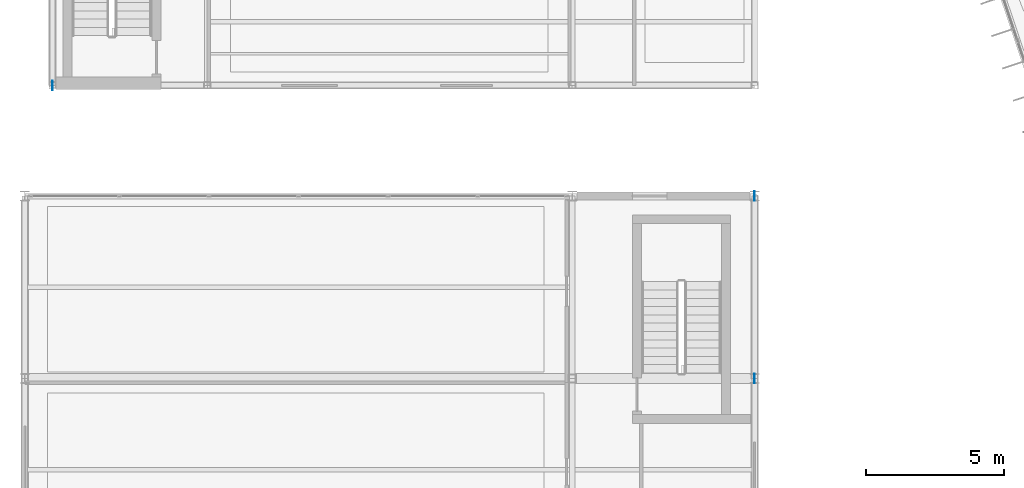
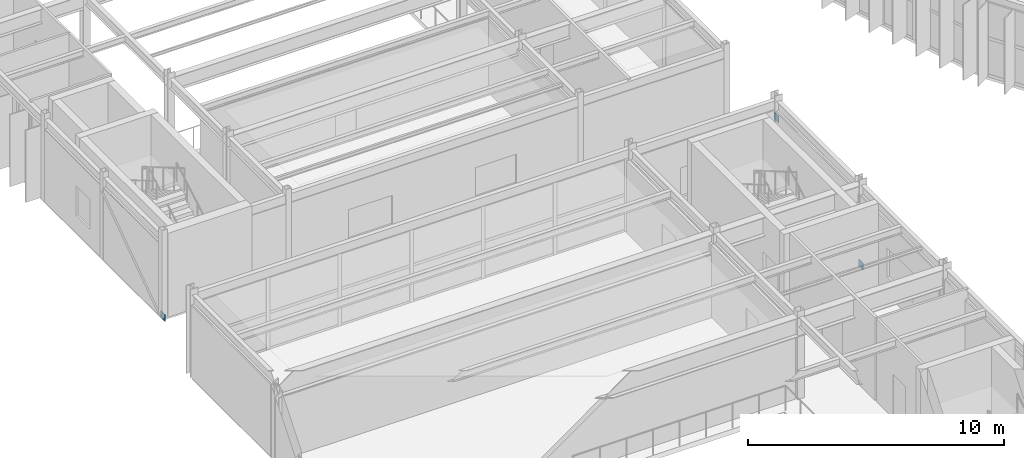
# One storey, part 109 of 148: 3 plates.
"""IFC4 building model written with IfcOpenShell, lengths in metres."""

from ifc_helpers import new_model, si_unit, direction, frame, origin, origin_2d, place, context, subcontext, project, spatial, rectangle, extrude, material, layer, layer_set, type_object, element, save


model = new_model("IFC4")

# Units and contexts
model_context = context("Model", 3, precision=1e-05, world=origin(), true_north=direction((0.0, 1.0)))
body_context = subcontext(model_context, "Body", "Model", "MODEL_VIEW")
ifc_project = project(units=[si_unit("LENGTHUNIT", "METRE"), si_unit("AREAUNIT", "SQUARE_METRE"), si_unit("VOLUMEUNIT", "CUBIC_METRE"), si_unit("PLANEANGLEUNIT", "RADIAN"), si_unit("MASSUNIT", "GRAM", prefix="KILO")], contexts=[model_context])

# Site, building, storey
site_placement = place(None, origin())
site = spatial("IfcSite", under=ifc_project, at=site_placement, CompositionType="ELEMENT")
building_placement = place(site_placement, origin())
building = spatial("IfcBuilding", under=site, at=building_placement, Name="Karori Crest Natural Sciences Institute", CompositionType="ELEMENT")
storey_placement = place(building_placement, frame((0.0, 0.0, 4.89990234375)))
storey = spatial("IfcBuildingStorey", under=building, at=storey_placement, Name="L01", CompositionType="ELEMENT", Elevation=4.89990234375)

# Plates
ifc_material = material(Name="Structural steel AS/NZS 3679.1 Grade 350", Category="steel")
ifc_layer = layer(ifc_material, 0.02490234375, Name="Structural steel AS/NZS 3679.1 Grade 350")
ifc_layer_set = layer_set([ifc_layer], Name="Structural steel AS/NZS 3679.1 Grade 350")
plate_type = type_object("IfcPlateType", Name="PLT-06-EL", PredefinedType="SHEET", material=ifc_layer_set)
for number, where, z_axis, x_axis, name in (
    (1, (27.199951171875, 20.60009765625, -0.146484375), (0.0, 0.0, 1.0), (0.0, 1.0, 0.0), "Brace gusset plate EP-0219"),
    (2, (27.199951171875, 27.199951171875, 2.86572265625), (0.0, 0.0, 1.0), (0.0, 1.0, 0.0), "Brace gusset plate EP-0220"),
    (3, (1.800048828125, 31.199951171875, -0.146484375), (0.0, 0.0, 1.0), (0.0, 1.0, 0.0), "Brace gusset plate EP-0245"),
):
    element("IfcPlate", number, at=place(storey_placement, frame(where, z_axis=z_axis, x_axis=x_axis)), inside=storey, type_object=plate_type, Name=name, PredefinedType="SHEET", context=body_context, shape_type="SweptSolid", body=[
        extrude(rectangle(XDim=0.35302734375, YDim=0.02490234375, at=origin_2d()), origin(), (0.0, 0.0, 1.0), 0.31298828125),
    ])

save(model, "model.ifc")
